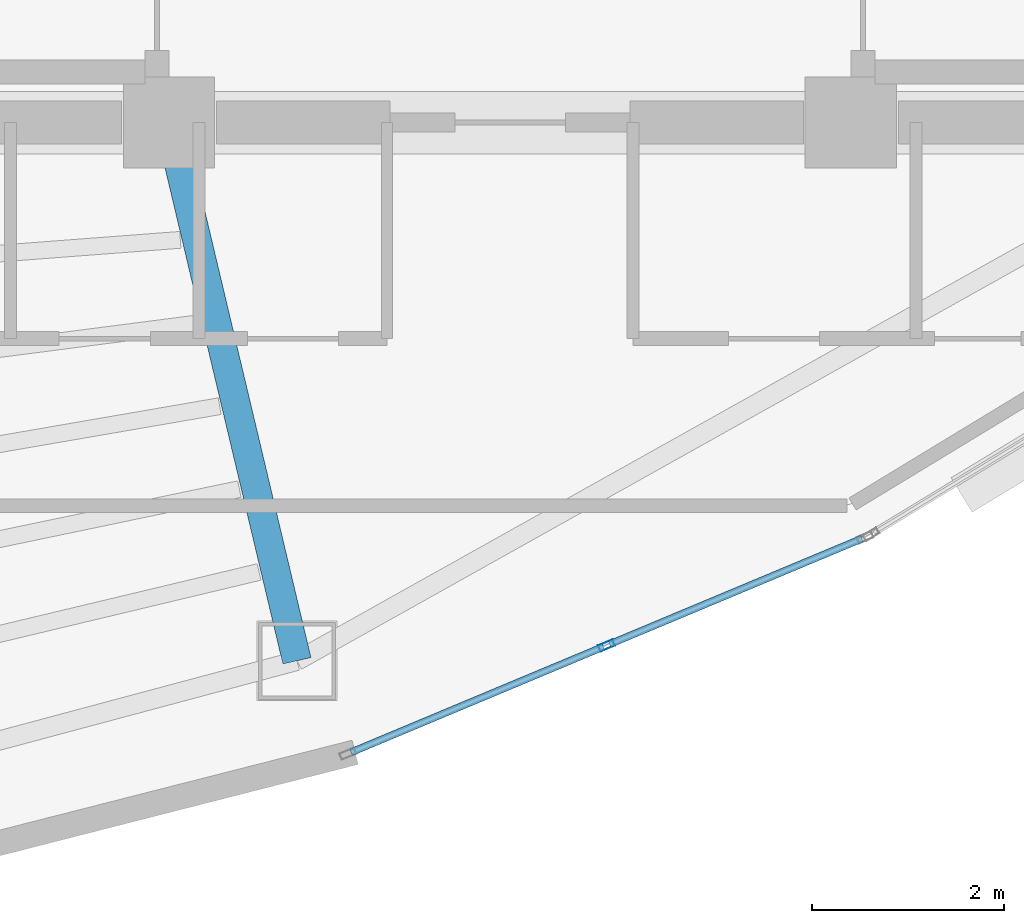
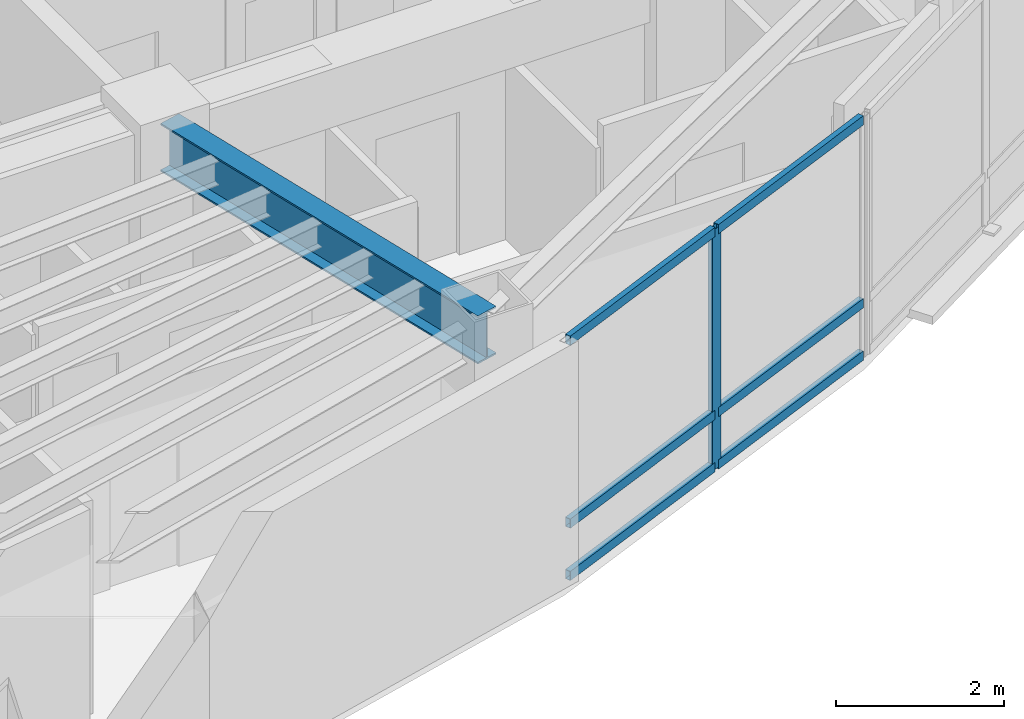
# One storey, part 3 of 15: 7 members, 1 beam, 1 element without a shape of its own.
"""IFC4 building model written with IfcOpenShell, lengths in metres."""

import ifcopenshell
import ifcopenshell.guid

model = None  # the IFC model being written
_history = None  # IfcOwnerHistory: only IFC2X3 demands one
_inside = {}  # id of a spatial element -> (the spatial element, [elements in it])
_under = {}  # id of a project, library or spatial element -> (it, [spatial elements below it])
_declared = {}  # id of a project -> (the project, [libraries it declares])
_typed = {}  # id of a type object -> (the type object, [elements of that type])
_made_of = {}  # id of a material, layer set ... -> (it, [elements and type objects made of it])


def new_model(schema):
    """Start an empty IFC model of exactly this schema.

    Asked for "IFC4X3", IfcOpenShell would pick the latest addendum, in which some entities
    have other attributes; the version numbers below select the first issue.
    IFC2X3 requires an IfcOwnerHistory on every rooted entity: one is made here for all.
    """
    global model, _history
    if schema == "IFC4X3":
        model = ifcopenshell.file(schema_version=(4, 3, 0, 0))
    else:
        model = ifcopenshell.file(schema=schema)
    _inside.clear()
    _under.clear()
    _declared.clear()
    _typed.clear()
    _made_of.clear()
    _history = None
    if model.schema == "IFC2X3":
        org = make("IfcOrganization", Name="unknown")
        user = make(
            "IfcPersonAndOrganization",
            ThePerson=make("IfcPerson", FamilyName="unknown"),
            TheOrganization=org,
        )
        app = make(
            "IfcApplication",
            ApplicationDeveloper=org,
            Version="unknown",
            ApplicationFullName="unknown",
            ApplicationIdentifier="unknown",
        )
        _history = make(
            "IfcOwnerHistory",
            OwningUser=user,
            OwningApplication=app,
            ChangeAction="ADDED",
            CreationDate=0,
        )
    return model


def make(cls, **values):
    """One entity of the class cls with the attributes given. An attribute that is None is left unset."""
    return model.create_entity(
        cls, **{name: value for name, value in values.items() if value is not None}
    )


def rooted(cls, **values):
    """An entity with a GlobalId (a new one), such as an element, a storey or a relation."""
    return make(cls, GlobalId=ifcopenshell.guid.new(), OwnerHistory=_history, **values)


def si_unit(unit_type, name, prefix=None):
    """IfcSIUnit, for example si_unit("LENGTHUNIT", "METRE", prefix="MILLI")."""
    return make("IfcSIUnit", UnitType=unit_type, Prefix=prefix, Name=name)


def assignment(units):
    """IfcUnitAssignment: the units of a project."""
    return None if units is None else make("IfcUnitAssignment", Units=units)


def point(xyz):
    """IfcCartesianPoint."""
    return None if xyz is None else make("IfcCartesianPoint", Coordinates=xyz)


def direction(xyz):
    """IfcDirection."""
    return None if xyz is None else make("IfcDirection", DirectionRatios=xyz)


def frame(location, z_axis=None, x_axis=None):
    """IfcAxis2Placement3D, a coordinate frame: its origin and axes. An axis left out is left unset."""
    return make(
        "IfcAxis2Placement3D",
        Location=point(location),
        Axis=direction(z_axis),
        RefDirection=direction(x_axis),
    )


def frame_2d(location, x_axis=None):
    """IfcAxis2Placement2D, a coordinate frame in the plane: its origin and x axis."""
    return make(
        "IfcAxis2Placement2D", Location=point(location), RefDirection=direction(x_axis)
    )


def origin():
    """The frame at (0, 0, 0) with its axes left unset."""
    return frame((0.0, 0.0, 0.0))


def origin_2d():
    """The frame at (0, 0) in the plane with its x axis left unset."""
    return frame_2d((0.0, 0.0))


def place(relative_to, where):
    """IfcLocalPlacement: puts the frame where relative to a parent placement (None: the world)."""
    return make(
        "IfcLocalPlacement", PlacementRelTo=relative_to, RelativePlacement=where
    )


def context(
    kind, dimensions, precision=None, world=None, true_north=None, identifier=None
):
    """IfcGeometricRepresentationContext, for example the 3D "Model" context."""
    return make(
        "IfcGeometricRepresentationContext",
        ContextIdentifier=identifier,
        ContextType=kind,
        CoordinateSpaceDimension=dimensions,
        Precision=precision,
        WorldCoordinateSystem=world,
        TrueNorth=true_north,
    )


def subcontext(parent, identifier, kind, view, scale=None):
    """IfcGeometricRepresentationSubContext, for example "Body" below "Model"."""
    return make(
        "IfcGeometricRepresentationSubContext",
        ContextIdentifier=identifier,
        ContextType=kind,
        ParentContext=parent,
        TargetScale=scale,
        TargetView=view,
    )


def project(units=None, contexts=None):
    """IfcProject with its units and contexts."""
    return rooted(
        "IfcProject",
        Name="project",
        RepresentationContexts=contexts,
        UnitsInContext=assignment(units),
    )


def spatial(cls, under=None, at=None, **own):
    """A site, building, storey or space (cls), placed at a placement, below another one or the project."""
    s = rooted(cls, ObjectPlacement=at, **own)
    if under is not None:
        _under.setdefault(under.id(), (under, []))[1].append(s)
    return s


def profile(cls, at=None, kind="AREA", **sizes):
    """A parametric profile (cls). Its sizes go by their IFC names, for example OverallWidth=200.0."""
    return make(cls, ProfileType=kind, Position=at, **sizes)


def hollow_rectangle(**sizes):
    """IfcRectangleHollowProfileDef."""
    return profile("IfcRectangleHollowProfileDef", **sizes)


def i_section(**sizes):
    """IfcIShapeProfileDef."""
    return profile("IfcIShapeProfileDef", **sizes)


def extrude(swept, where, along, depth):
    """IfcExtrudedAreaSolid: the profile swept, set in the frame where, extruded along a direction by depth."""
    return make(
        "IfcExtrudedAreaSolid",
        SweptArea=swept,
        Position=where,
        ExtrudedDirection=direction(along),
        Depth=depth,
    )


def shape(context_of_items, identifier, shape_type, items):
    """IfcShapeRepresentation: the items that make up one representation, for example the "Body"."""
    return make(
        "IfcShapeRepresentation",
        ContextOfItems=context_of_items,
        RepresentationIdentifier=identifier,
        RepresentationType=shape_type,
        Items=items,
    )


def material(Name=None, Category=None):
    """IfcMaterial."""
    return make("IfcMaterial", Name=Name, Category=Category)


def layer(
    of_material, thickness, ventilated=None, Name=None, Category=None, Priority=None
):
    """IfcMaterialLayer: one layer of a wall or slab, of a material (None: an air gap)."""
    return make(
        "IfcMaterialLayer",
        Material=of_material,
        LayerThickness=thickness,
        IsVentilated=ventilated,
        Name=Name,
        Category=Category,
        Priority=Priority,
    )


def layer_set(layers, Name=None):
    """IfcMaterialLayerSet."""
    return make("IfcMaterialLayerSet", MaterialLayers=layers, LayerSetName=Name)


def material_profile(
    of_material, cross_section, Name=None, Category=None, Priority=None
):
    """IfcMaterialProfile: a cross section and its material."""
    return make(
        "IfcMaterialProfile",
        Name=Name,
        Material=of_material,
        Profile=cross_section,
        Priority=Priority,
        Category=Category,
    )


def profile_set(profiles, Name=None, composite=None):
    """IfcMaterialProfileSet."""
    return make(
        "IfcMaterialProfileSet",
        Name=Name,
        MaterialProfiles=profiles,
        CompositeProfile=composite,
    )


def made_of(thing, what):
    """Note that an element or type object is made of a material, layer set ...; save() writes the relation."""
    if what is not None:
        _made_of.setdefault(what.id(), (what, []))[1].append(thing)
    return thing


def type_object(cls, material=None, **own):
    """A type object (cls), such as IfcWallType, which elements share."""
    return made_of(rooted(cls, **own), material)


def element(
    cls,
    number,
    at=None,
    inside=None,
    cuts=None,
    type_object=None,
    material=None,
    context=None,
    identifier="Body",
    shape_type=None,
    held_by="IfcProductDefinitionShape",
    body=None,
    shapes=None,
    **own,
):
    """One element of the class cls, such as IfcWall. Its Tag is "e" and its number.

    at: its placement. inside: the storey or other place that contains it. cuts: it is an
    opening in that element (IfcRelVoidsElement). A single representation is given by context,
    identifier, shape_type and body (its items); several are given by shapes. held_by: the class
    of the entity that holds the representations. save() writes the other relations.
    """
    e = rooted(cls, Tag="e%d" % number, ObjectPlacement=at, **own)
    if body is not None:
        shapes = [shape(context, identifier, shape_type, body)]
    if shapes is not None:
        e.Representation = make(held_by, Representations=shapes)
    if inside is not None:
        _inside.setdefault(inside.id(), (inside, []))[1].append(e)
    if cuts is not None:
        rooted(
            "IfcRelVoidsElement", RelatingBuildingElement=cuts, RelatedOpeningElement=e
        )
    if type_object is not None:
        _typed.setdefault(type_object.id(), (type_object, []))[1].append(e)
    return made_of(e, material)


def aggregate(whole, parts):
    """IfcRelAggregates: a whole, such as a stair, and the parts it consists of."""
    return rooted("IfcRelAggregates", RelatingObject=whole, RelatedObjects=parts)


def save(model, path):
    """Write the relations noted so far, then the file.

    IfcRelAggregates (storeys below a building ...), IfcRelContainedInSpatialStructure (elements
    in a storey), IfcRelDefinesByType, IfcRelAssociatesMaterial and IfcRelDeclares: one each for
    every whole, place, type object, material and project.
    """
    for whole, parts in _under.values():
        aggregate(whole, parts)
    for where, things in _inside.values():
        rooted(
            "IfcRelContainedInSpatialStructure",
            RelatedElements=things,
            RelatingStructure=where,
        )
    for kind, things in _typed.values():
        rooted("IfcRelDefinesByType", RelatedObjects=things, RelatingType=kind)
    for what, things in _made_of.values():
        rooted("IfcRelAssociatesMaterial", RelatedObjects=things, RelatingMaterial=what)
    for by, libraries in _declared.values():
        rooted("IfcRelDeclares", RelatingContext=by, RelatedDefinitions=libraries)
    model.write(path)


model = new_model("IFC4")

# Units and contexts
model_context = context("Model", 3, precision=1e-05, world=origin(), true_north=direction((0.0, 1.0)))
body_context = subcontext(model_context, "Body", "Model", "MODEL_VIEW")
ifc_project = project(units=[si_unit("LENGTHUNIT", "METRE"), si_unit("AREAUNIT", "SQUARE_METRE"), si_unit("VOLUMEUNIT", "CUBIC_METRE"), si_unit("PLANEANGLEUNIT", "RADIAN"), si_unit("MASSUNIT", "GRAM", prefix="KILO")], contexts=[model_context])

# Site, building, storey
site_placement = place(None, origin())
site = spatial("IfcSite", under=ifc_project, at=site_placement, CompositionType="ELEMENT")
building_placement = place(site_placement, origin())
building = spatial("IfcBuilding", under=site, at=building_placement, Name="Menara Vayukalpa", CompositionType="ELEMENT")
storey_placement = place(building_placement, frame((0.0, 0.0, 262.02001953125)))
storey = spatial("IfcBuildingStorey", under=building, at=storey_placement, Name="L66", CompositionType="ELEMENT", Elevation=262.02001953125)

# Beam
ifc_material_1 = material(Name="Steel S355", Category="steel")
ifc_material_profile_1 = material_profile(ifc_material_1, i_section(OverallWidth=0.300048828125, OverallDepth=0.699951171875, WebThickness=0.012939453125, FlangeThickness=0.02392578125, at=origin_2d()), Name="WF 700x300x13x24")
ifc_profile_set_1 = profile_set([ifc_material_profile_1], Name="Steel S355")
beam_type = type_object("IfcBeamType", Name="BM-PG5", PredefinedType="BEAM", material=ifc_profile_set_1)
beam_placement = place(storey_placement, frame((22.10791015625, 16.956787109375, 3.14990234375), z_axis=(0.231167310854, -0.972914011818, 0.0), x_axis=(0.972914011818, 0.231167310854, 0.0)))
element("IfcBeam", 1, at=beam_placement, inside=storey, type_object=beam_type, Name="L66 Primary Radial Girder RG08", PredefinedType="BEAM", context=body_context, shape_type="SweptSolid", body=[
    extrude(i_section(OverallWidth=0.300048828125, OverallDepth=0.699951171875, WebThickness=0.012939453125, FlangeThickness=0.02392578125, at=origin_2d()), origin(), (0.0, 0.0, 1.0), 5.5107421875),
])

# Curtain wall, members
ifc_material_2 = material(Name="Anodised Terracotta Aluminium Alloy 6063-T6", Category="masonry")
ifc_layer = layer(ifc_material_2, 0.1650390625)
ifc_layer_set = layer_set([ifc_layer], Name="Anodised Terracotta Aluminium Alloy 6063-T6")
curtain_wall_type = type_object("IfcCurtainWallType", Name="CW-CW6", PredefinedType="USERDEFINED", material=ifc_layer_set)
curtain_wall_placement = place(storey_placement, origin())
curtain_wall = element("IfcCurtainWall", 2, at=curtain_wall_placement, inside=storey, type_object=curtain_wall_type, Name="L66 Observation and Executive Curtain Wall CW6 16", ObjectType="UNITISED", PredefinedType="USERDEFINED")
ifc_material_3 = material(Name="Anodised Terracotta Aluminium Alloy 6063-T6", Category="masonry")
ifc_material_profile_2 = material_profile(ifc_material_3, hollow_rectangle(XDim=0.070068359375, YDim=0.1650390625, WallThickness=0.00390625, at=origin_2d()), Name="ALU 70x165x4")
ifc_profile_set_2 = profile_set([ifc_material_profile_2], Name="Anodised Terracotta Aluminium Alloy 6063-T6")
member_type_1 = type_object("IfcMemberType", Name="CWM-CW6", PredefinedType="MULLION", material=ifc_profile_set_2)
member_1_placement = place(storey_placement, frame((26.60595703125, 11.7548828125, 0.0), z_axis=(0.0, 0.0, 1.0), x_axis=(-0.385899911703, 0.922540653927, 0.0)))
member_1 = element("IfcMember", 3, at=member_1_placement, type_object=member_type_1, Name="CW6 mullion 2", PredefinedType="MULLION", context=body_context, shape_type="SweptSolid", body=[
    extrude(hollow_rectangle(XDim=0.070068359375, YDim=0.1650390625, WallThickness=0.00390625, at=origin_2d()), origin(), (0.0, 0.0, 1.0), 3.5),
])
ifc_material_4 = material(Name="Anodised Terracotta Aluminium Alloy 6063-T6", Category="masonry")
ifc_material_profile_3 = material_profile(ifc_material_4, hollow_rectangle(XDim=0.074951171875, YDim=0.135009765625, WallThickness=0.00390625, at=origin_2d()), Name="ALU 75x135x4")
ifc_profile_set_3 = profile_set([ifc_material_profile_3], Name="Anodised Terracotta Aluminium Alloy 6063-T6")
member_type_2 = type_object("IfcMemberType", Name="CWT-CW6", PredefinedType="USERDEFINED", material=ifc_profile_set_3)
member_2_placement = place(storey_placement, frame((23.945556640625, 10.64208984375, 0.03759765625), z_axis=(0.922541050276, 0.38589896418, 0.0), x_axis=(-0.38589896418, 0.922541050276, 0.0)))
member_2 = element("IfcMember", 4, at=member_2_placement, type_object=member_type_2, Name="CW6 transom 1.1", ObjectType="TRANSOM", PredefinedType="USERDEFINED", context=body_context, shape_type="SweptSolid", body=[
    extrude(hollow_rectangle(XDim=0.074951171875, YDim=0.135009765625, WallThickness=0.00390625, at=origin_2d()), origin(), (0.0, 0.0, 1.0), 2.848876953125),
])
member_3_placement = place(storey_placement, frame((23.945556640625, 10.64208984375, 0.800048828125), z_axis=(0.922541050276, 0.38589896418, 0.0), x_axis=(-0.38589896418, 0.922541050276, 0.0)))
member_3 = element("IfcMember", 5, at=member_3_placement, type_object=member_type_2, Name="CW6 transom 1.2", ObjectType="TRANSOM", PredefinedType="USERDEFINED", context=body_context, shape_type="SweptSolid", body=[
    extrude(hollow_rectangle(XDim=0.074951171875, YDim=0.135009765625, WallThickness=0.00390625, at=origin_2d()), origin(), (0.0, 0.0, 1.0), 2.848876953125),
])
member_4_placement = place(storey_placement, frame((23.945556640625, 10.64208984375, 3.46240234375), z_axis=(0.922541050276, 0.38589896418, 0.0), x_axis=(-0.38589896418, 0.922541050276, 0.0)))
member_4 = element("IfcMember", 6, at=member_4_placement, type_object=member_type_2, Name="CW6 transom 1.3", ObjectType="TRANSOM", PredefinedType="USERDEFINED", context=body_context, shape_type="SweptSolid", body=[
    extrude(hollow_rectangle(XDim=0.074951171875, YDim=0.135009765625, WallThickness=0.00390625, at=origin_2d()), origin(), (0.0, 0.0, 1.0), 2.848876953125),
])
member_5_placement = place(storey_placement, frame((26.638427734375, 11.768310546875, 0.03759765625), z_axis=(0.922528286758, 0.385929475592, 0.0), x_axis=(-0.385929475592, 0.922528286758, 0.0)))
member_5 = element("IfcMember", 7, at=member_5_placement, type_object=member_type_2, Name="CW6 transom 2.1", ObjectType="TRANSOM", PredefinedType="USERDEFINED", context=body_context, shape_type="SweptSolid", body=[
    extrude(hollow_rectangle(XDim=0.074951171875, YDim=0.135009765625, WallThickness=0.00390625, at=origin_2d()), origin(), (0.0, 0.0, 1.0), 2.8486328125),
])
member_6_placement = place(storey_placement, frame((26.638427734375, 11.768310546875, 0.800048828125), z_axis=(0.922528286758, 0.385929475592, 0.0), x_axis=(-0.385929475592, 0.922528286758, 0.0)))
member_6 = element("IfcMember", 8, at=member_6_placement, type_object=member_type_2, Name="CW6 transom 2.2", ObjectType="TRANSOM", PredefinedType="USERDEFINED", context=body_context, shape_type="SweptSolid", body=[
    extrude(hollow_rectangle(XDim=0.074951171875, YDim=0.135009765625, WallThickness=0.00390625, at=origin_2d()), origin(), (0.0, 0.0, 1.0), 2.8486328125),
])
member_7_placement = place(storey_placement, frame((26.638427734375, 11.768310546875, 3.46240234375), z_axis=(0.922528286758, 0.385929475592, 0.0), x_axis=(-0.385929475592, 0.922528286758, 0.0)))
member_7 = element("IfcMember", 9, at=member_7_placement, type_object=member_type_2, Name="CW6 transom 2.3", ObjectType="TRANSOM", PredefinedType="USERDEFINED", context=body_context, shape_type="SweptSolid", body=[
    extrude(hollow_rectangle(XDim=0.074951171875, YDim=0.135009765625, WallThickness=0.00390625, at=origin_2d()), origin(), (0.0, 0.0, 1.0), 2.8486328125),
])
aggregate(curtain_wall, [member_1, member_2, member_3, member_4, member_5, member_6, member_7])

save(model, "model.ifc")
